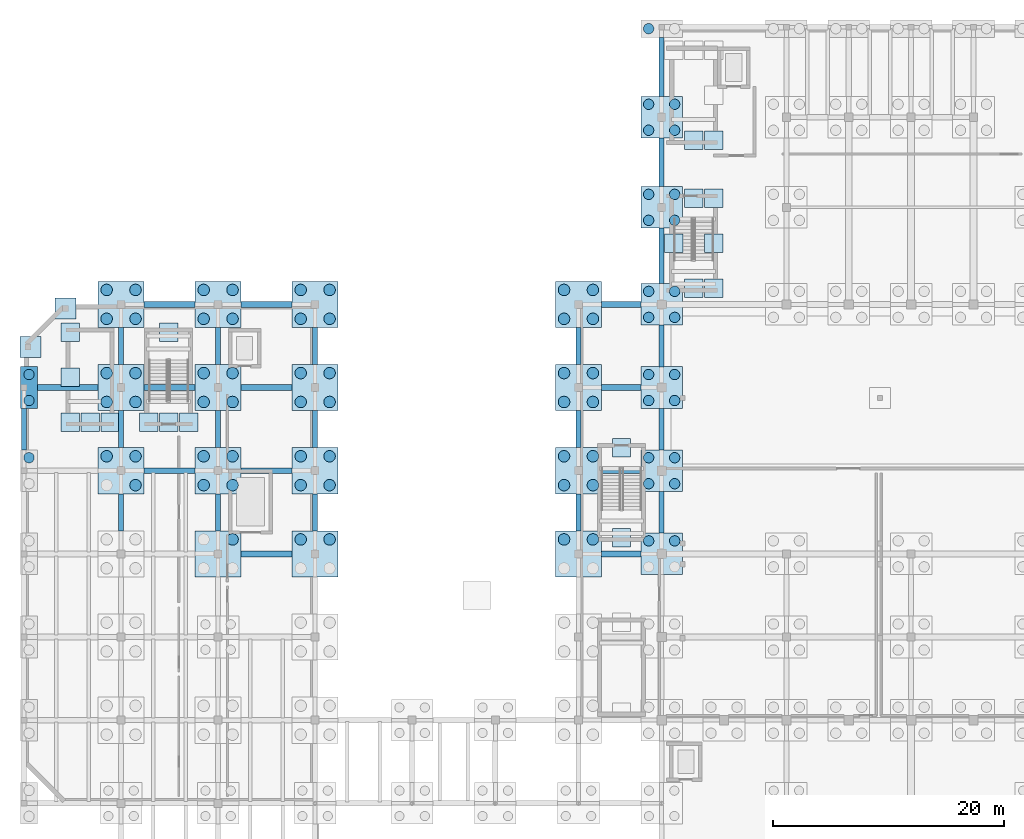
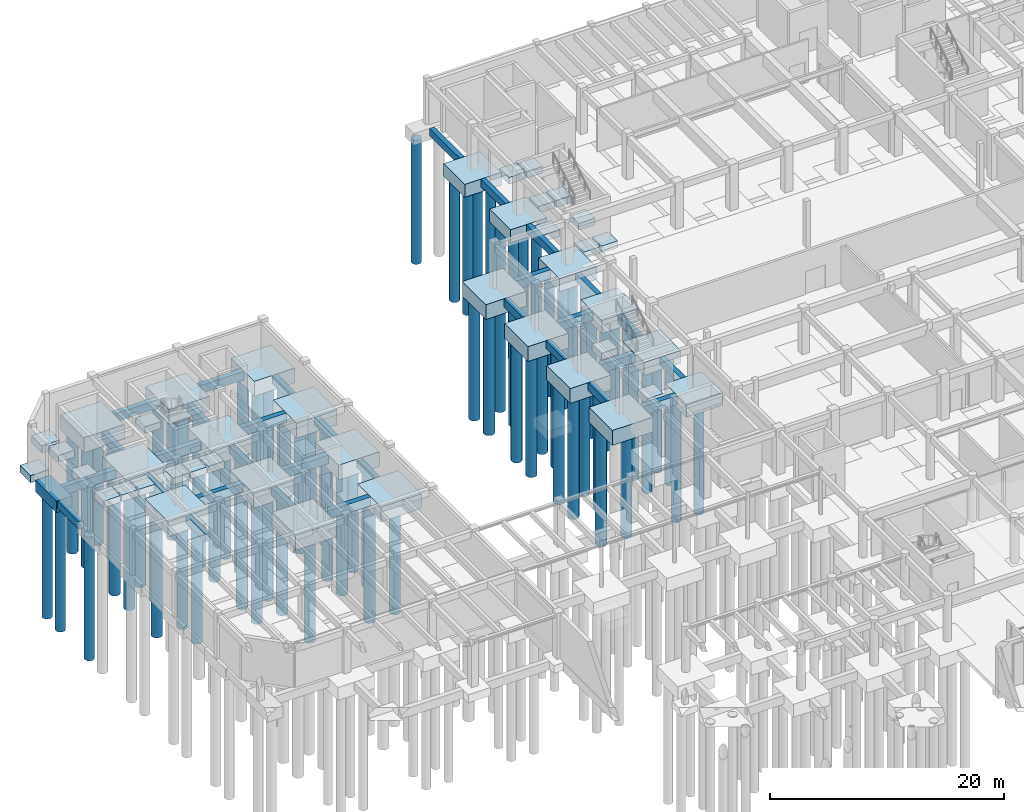
# One storey, part 5 of 46: 78 piles, 74 footings.
"""IFC4 building model written with IfcOpenShell, lengths in metres."""

from ifc_helpers import new_model, si_unit, direction, frame, origin, origin_2d, place, context, subcontext, project, spatial, rectangle, circle, extrude, material, material_profile, profile_set, type_object, element, save


model = new_model("IFC4")

# Units and contexts
model_context = context("Model", 3, precision=1e-05, world=origin(), true_north=direction((0.0, 1.0)))
body_context = subcontext(model_context, "Body", "Model", "MODEL_VIEW")
ifc_project = project(units=[si_unit("LENGTHUNIT", "METRE"), si_unit("AREAUNIT", "SQUARE_METRE"), si_unit("VOLUMEUNIT", "CUBIC_METRE"), si_unit("PLANEANGLEUNIT", "RADIAN"), si_unit("MASSUNIT", "GRAM", prefix="KILO")], contexts=[model_context])

# Site, building, storey
site_placement = place(None, origin())
site = spatial("IfcSite", under=ifc_project, at=site_placement, CompositionType="ELEMENT")
building_placement = place(site_placement, origin())
building = spatial("IfcBuilding", under=site, at=building_placement, Name="Tazoul Stagehouse", CompositionType="ELEMENT")
storey_placement = place(building_placement, frame((0.0, 0.0, -4.800048828125)))
storey = spatial("IfcBuildingStorey", under=building, at=storey_placement, Name="B1", CompositionType="ELEMENT", Elevation=-4.800048828125)

# Piles
ifc_material = material(Name="Concrete C35/45", Category="concrete")
ifc_material_profile_1 = material_profile(ifc_material, circle(Radius=0.5, at=origin_2d()), Name="BORED PILE 1000")
ifc_profile_set_1 = profile_set([ifc_material_profile_1], Name="Concrete C35/45")
pile_type_1 = type_object("IfcPileType", Name="Bored Cast-in-Place Concrete Pile D1000", PredefinedType="BORED", material=ifc_profile_set_1)
for number, where, z_axis, x_axis, name in (
    (1, (12.050048828125, 72.14990234375, -1.449951171875), (0.0, 0.0, -1.0), (1.0, 0.0, 0.0), "Bored Pile PL-03 2/L-2"),
    (2, (9.550048828125, 74.64990234375, -1.449951171875), (0.0, 0.0, -1.0), (1.0, 0.0, 0.0), "Bored Pile PL-03 2/L-3"),
    (3, (12.050048828125, 74.64990234375, -1.449951171875), (0.0, 0.0, -1.0), (1.0, 0.0, 0.0), "Bored Pile PL-03 2/L-4"),
    (4, (9.550048828125, 79.35009765625, -1.449951171875), (0.0, 0.0, -1.0), (1.0, 0.0, 0.0), "Bored Pile PL-03 2/M-1"),
    (5, (12.050048828125, 79.35009765625, -1.449951171875), (0.0, 0.0, -1.0), (1.0, 0.0, 0.0), "Bored Pile PL-03 2/M-2"),
    (6, (9.550048828125, 81.85009765625, -1.449951171875), (0.0, 0.0, -1.0), (1.0, 0.0, 0.0), "Bored Pile PL-03 2/M-3"),
    (7, (12.050048828125, 81.85009765625, -1.449951171875), (0.0, 0.0, -1.0), (1.0, 0.0, 0.0), "Bored Pile PL-03 2/M-4"),
    (8, (9.550048828125, 86.550048828125, -1.449951171875), (0.0, 0.0, -1.0), (1.0, 0.0, 0.0), "Bored Pile PL-03 2/N-1"),
    (9, (12.050048828125, 86.550048828125, -1.449951171875), (0.0, 0.0, -1.0), (1.0, 0.0, 0.0), "Bored Pile PL-03 2/N-2"),
    (10, (9.550048828125, 89.050048828125, -1.449951171875), (0.0, 0.0, -1.0), (1.0, 0.0, 0.0), "Bored Pile PL-03 2/N-3"),
    (11, (12.050048828125, 89.050048828125, -1.449951171875), (0.0, 0.0, -1.0), (1.0, 0.0, 0.0), "Bored Pile PL-03 2/N-4"),
    (12, (20.449951171875, 67.449951171875, -1.449951171875), (0.0, 0.0, -1.0), (1.0, 0.0, 0.0), "Bored Pile PL-03 3/K-4"),
    (13, (17.949951171875, 72.14990234375, -1.449951171875), (0.0, 0.0, -1.0), (1.0, 0.0, 0.0), "Bored Pile PL-03 3/L-1"),
    (14, (20.449951171875, 72.14990234375, -1.449951171875), (0.0, 0.0, -1.0), (1.0, 0.0, 0.0), "Bored Pile PL-03 3/L-2"),
    (15, (17.949951171875, 74.64990234375, -1.449951171875), (0.0, 0.0, -1.0), (1.0, 0.0, 0.0), "Bored Pile PL-03 3/L-3"),
    (16, (20.449951171875, 74.64990234375, -1.449951171875), (0.0, 0.0, -1.0), (1.0, 0.0, 0.0), "Bored Pile PL-03 3/L-4"),
    (17, (17.949951171875, 79.35009765625, -1.449951171875), (0.0, 0.0, -1.0), (1.0, 0.0, 0.0), "Bored Pile PL-03 3/M-1"),
    (18, (20.449951171875, 79.35009765625, -1.449951171875), (0.0, 0.0, -1.0), (1.0, 0.0, 0.0), "Bored Pile PL-03 3/M-2"),
    (19, (17.949951171875, 81.85009765625, -1.449951171875), (0.0, 0.0, -1.0), (1.0, 0.0, 0.0), "Bored Pile PL-03 3/M-3"),
    (20, (20.449951171875, 81.85009765625, -1.449951171875), (0.0, 0.0, -1.0), (1.0, 0.0, 0.0), "Bored Pile PL-03 3/M-4"),
    (21, (17.949951171875, 86.550048828125, -1.449951171875), (0.0, 0.0, -1.0), (1.0, 0.0, 0.0), "Bored Pile PL-03 3/N-1"),
    (22, (20.449951171875, 86.550048828125, -1.449951171875), (0.0, 0.0, -1.0), (1.0, 0.0, 0.0), "Bored Pile PL-03 3/N-2"),
    (23, (17.949951171875, 89.050048828125, -1.449951171875), (0.0, 0.0, -1.0), (1.0, 0.0, 0.0), "Bored Pile PL-03 3/N-3"),
    (24, (20.449951171875, 89.050048828125, -1.449951171875), (0.0, 0.0, -1.0), (1.0, 0.0, 0.0), "Bored Pile PL-03 3/N-4"),
    (25, (26.35009765625, 67.449951171875, -1.449951171875), (0.0, 0.0, -1.0), (1.0, 0.0, 0.0), "Bored Pile PL-03 4/K-3"),
    (26, (28.85009765625, 67.449951171875, -1.449951171875), (0.0, 0.0, -1.0), (1.0, 0.0, 0.0), "Bored Pile PL-03 4/K-4"),
    (27, (26.35009765625, 72.14990234375, -1.449951171875), (0.0, 0.0, -1.0), (1.0, 0.0, 0.0), "Bored Pile PL-03 4/L-1"),
    (28, (28.85009765625, 72.14990234375, -1.449951171875), (0.0, 0.0, -1.0), (1.0, 0.0, 0.0), "Bored Pile PL-03 4/L-2"),
    (29, (26.35009765625, 74.64990234375, -1.449951171875), (0.0, 0.0, -1.0), (1.0, 0.0, 0.0), "Bored Pile PL-03 4/L-3"),
    (30, (28.85009765625, 74.64990234375, -1.449951171875), (0.0, 0.0, -1.0), (1.0, 0.0, 0.0), "Bored Pile PL-03 4/L-4"),
    (31, (26.35009765625, 79.35009765625, -1.449951171875), (0.0, 0.0, -1.0), (1.0, 0.0, 0.0), "Bored Pile PL-03 4/M-1"),
    (32, (28.85009765625, 79.35009765625, -1.449951171875), (0.0, 0.0, -1.0), (1.0, 0.0, 0.0), "Bored Pile PL-03 4/M-2"),
    (33, (26.35009765625, 81.85009765625, -1.449951171875), (0.0, 0.0, -1.0), (1.0, 0.0, 0.0), "Bored Pile PL-03 4/M-3"),
    (34, (28.85009765625, 81.85009765625, -1.449951171875), (0.0, 0.0, -1.0), (1.0, 0.0, 0.0), "Bored Pile PL-03 4/M-4"),
    (35, (26.35009765625, 86.550048828125, -1.449951171875), (0.0, 0.0, -1.0), (1.0, 0.0, 0.0), "Bored Pile PL-03 4/N-1"),
    (36, (28.85009765625, 86.550048828125, -1.449951171875), (0.0, 0.0, -1.0), (1.0, 0.0, 0.0), "Bored Pile PL-03 4/N-2"),
    (37, (26.35009765625, 89.050048828125, -1.449951171875), (0.0, 0.0, -1.0), (1.0, 0.0, 0.0), "Bored Pile PL-03 4/N-3"),
    (38, (28.85009765625, 89.050048828125, -1.449951171875), (0.0, 0.0, -1.0), (1.0, 0.0, 0.0), "Bored Pile PL-03 4/N-4"),
    (39, (49.14990234375, 67.449951171875, -1.449951171875), (0.0, 0.0, -1.0), (1.0, 0.0, 0.0), "Bored Pile PL-03 7/K-3"),
    (40, (51.64990234375, 67.449951171875, -1.449951171875), (0.0, 0.0, -1.0), (1.0, 0.0, 0.0), "Bored Pile PL-03 7/K-4"),
    (41, (49.14990234375, 72.14990234375, -1.449951171875), (0.0, 0.0, -1.0), (1.0, 0.0, 0.0), "Bored Pile PL-03 7/L-1"),
    (42, (51.64990234375, 72.14990234375, -1.449951171875), (0.0, 0.0, -1.0), (1.0, 0.0, 0.0), "Bored Pile PL-03 7/L-2"),
    (43, (49.14990234375, 74.64990234375, -1.449951171875), (0.0, 0.0, -1.0), (1.0, 0.0, 0.0), "Bored Pile PL-03 7/L-3"),
    (44, (51.64990234375, 74.64990234375, -1.449951171875), (0.0, 0.0, -1.0), (1.0, 0.0, 0.0), "Bored Pile PL-03 7/L-4"),
    (45, (49.14990234375, 79.35009765625, -1.449951171875), (0.0, 0.0, -1.0), (1.0, 0.0, 0.0), "Bored Pile PL-03 7/M-1"),
    (46, (51.64990234375, 79.35009765625, -1.449951171875), (0.0, 0.0, -1.0), (1.0, 0.0, 0.0), "Bored Pile PL-03 7/M-2"),
    (47, (49.14990234375, 81.85009765625, -1.449951171875), (0.0, 0.0, -1.0), (1.0, 0.0, 0.0), "Bored Pile PL-03 7/M-3"),
    (48, (51.64990234375, 81.85009765625, -1.449951171875), (0.0, 0.0, -1.0), (1.0, 0.0, 0.0), "Bored Pile PL-03 7/M-4"),
    (49, (49.14990234375, 86.550048828125, -1.449951171875), (0.0, 0.0, -1.0), (1.0, 0.0, 0.0), "Bored Pile PL-03 7/N-1"),
    (50, (51.64990234375, 86.550048828125, -1.449951171875), (0.0, 0.0, -1.0), (1.0, 0.0, 0.0), "Bored Pile PL-03 7/N-2"),
    (51, (49.14990234375, 89.050048828125, -1.449951171875), (0.0, 0.0, -1.0), (1.0, 0.0, 0.0), "Bored Pile PL-03 7/N-3"),
    (52, (51.64990234375, 89.050048828125, -1.449951171875), (0.0, 0.0, -1.0), (1.0, 0.0, 0.0), "Bored Pile PL-03 7/N-4"),
):
    element("IfcPile", number, at=place(storey_placement, frame(where, z_axis=z_axis, x_axis=x_axis)), inside=storey, type_object=pile_type_1, Name=name, PredefinedType="BORED", context=body_context, shape_type="SweptSolid", body=[
        extrude(circle(Radius=0.5, at=origin_2d()), origin(), (0.0, 0.0, 1.0), 12.550048828125),
    ])
ifc_material_profile_2 = material_profile(ifc_material, circle(Radius=0.449951171875, at=origin_2d()), Name="BORED PILE 900")
ifc_profile_set_2 = profile_set([ifc_material_profile_2], Name="Concrete C35/45")
pile_type_2 = type_object("IfcPileType", Name="Bored Cast-in-Place Concrete Pile D900", PredefinedType="BORED", material=ifc_profile_set_2)
for number, where, z_axis, x_axis, name in (
    (53, (2.830078125, 74.52490234375, -1.099853515625), (0.0, 0.0, -1.0), (1.0, 0.0, 0.0), "Bored Pile PL-02 1/L-2"),
    (54, (2.830078125, 79.47509765625, -1.099853515625), (0.0, 0.0, -1.0), (1.0, 0.0, 0.0), "Bored Pile PL-02 1/M-1"),
    (55, (2.830078125, 81.72509765625, -1.099853515625), (0.0, 0.0, -1.0), (1.0, 0.0, 0.0), "Bored Pile PL-02 1/M-2"),
):
    element("IfcPile", number, at=place(storey_placement, frame(where, z_axis=z_axis, x_axis=x_axis)), inside=storey, type_object=pile_type_2, Name=name, PredefinedType="BORED", context=body_context, shape_type="SweptSolid", body=[
        extrude(circle(Radius=0.449951171875, at=origin_2d()), origin(), (0.0, 0.0, 1.0), 12.89990234375),
    ])
for number, where, z_axis, x_axis, name in (
    (56, (56.47509765625, 67.324951171875, -1.25), (0.0, 0.0, -1.0), (1.0, 0.0, 0.0), "Bored Pile PL-02 8/K-3"),
    (57, (58.72509765625, 67.324951171875, -1.25), (0.0, 0.0, -1.0), (1.0, 0.0, 0.0), "Bored Pile PL-02 8/K-4"),
    (58, (56.47509765625, 72.27490234375, -1.25), (0.0, 0.0, -1.0), (1.0, 0.0, 0.0), "Bored Pile PL-02 8/L-1"),
    (59, (58.72509765625, 72.27490234375, -1.25), (0.0, 0.0, -1.0), (1.0, 0.0, 0.0), "Bored Pile PL-02 8/L-2"),
    (60, (56.47509765625, 74.52490234375, -1.25), (0.0, 0.0, -1.0), (1.0, 0.0, 0.0), "Bored Pile PL-02 8/L-3"),
    (61, (58.72509765625, 74.52490234375, -1.25), (0.0, 0.0, -1.0), (1.0, 0.0, 0.0), "Bored Pile PL-02 8/L-4"),
    (62, (56.47509765625, 79.47509765625, -1.25), (0.0, 0.0, -1.0), (1.0, 0.0, 0.0), "Bored Pile PL-02 8/M-1"),
    (63, (58.72509765625, 79.47509765625, -1.25), (0.0, 0.0, -1.0), (1.0, 0.0, 0.0), "Bored Pile PL-02 8/M-2"),
    (64, (56.47509765625, 81.72509765625, -1.25), (0.0, 0.0, -1.0), (1.0, 0.0, 0.0), "Bored Pile PL-02 8/M-3"),
    (65, (58.72509765625, 81.72509765625, -1.25), (0.0, 0.0, -1.0), (1.0, 0.0, 0.0), "Bored Pile PL-02 8/M-4"),
    (66, (56.47509765625, 86.675048828125, -1.25), (0.0, 0.0, -1.0), (1.0, 0.0, 0.0), "Bored Pile PL-02 8/N-1"),
    (67, (58.72509765625, 86.675048828125, -1.25), (0.0, 0.0, -1.0), (1.0, 0.0, 0.0), "Bored Pile PL-02 8/N-2"),
    (68, (56.47509765625, 88.925048828125, -1.25), (0.0, 0.0, -1.0), (1.0, 0.0, 0.0), "Bored Pile PL-02 8/N-3"),
    (69, (58.72509765625, 88.925048828125, -1.25), (0.0, 0.0, -1.0), (1.0, 0.0, 0.0), "Bored Pile PL-02 8/N-4"),
    (70, (56.47509765625, 95.074951171875, -1.25), (0.0, 0.0, -1.0), (1.0, 0.0, 0.0), "Bored Pile PL-02 8/P-1"),
    (71, (58.72509765625, 95.074951171875, -1.25), (0.0, 0.0, -1.0), (1.0, 0.0, 0.0), "Bored Pile PL-02 8/P-2"),
    (72, (56.47509765625, 97.324951171875, -1.25), (0.0, 0.0, -1.0), (1.0, 0.0, 0.0), "Bored Pile PL-02 8/P-3"),
    (73, (58.72509765625, 97.324951171875, -1.25), (0.0, 0.0, -1.0), (1.0, 0.0, 0.0), "Bored Pile PL-02 8/P-4"),
    (74, (56.47509765625, 102.875, -1.25), (0.0, 0.0, -1.0), (1.0, 0.0, 0.0), "Bored Pile PL-02 8/Q-1"),
    (75, (58.72509765625, 102.875, -1.25), (0.0, 0.0, -1.0), (1.0, 0.0, 0.0), "Bored Pile PL-02 8/Q-2"),
    (76, (56.47509765625, 105.125, -1.25), (0.0, 0.0, -1.0), (1.0, 0.0, 0.0), "Bored Pile PL-02 8/Q-3"),
    (77, (58.72509765625, 105.125, -1.25), (0.0, 0.0, -1.0), (1.0, 0.0, 0.0), "Bored Pile PL-02 8/Q-4"),
):
    element("IfcPile", number, at=place(storey_placement, frame(where, z_axis=z_axis, x_axis=x_axis)), inside=storey, type_object=pile_type_2, Name=name, PredefinedType="BORED", context=body_context, shape_type="SweptSolid", body=[
        extrude(circle(Radius=0.449951171875, at=origin_2d()), origin(), (0.0, 0.0, 1.0), 12.75),
    ])
pile_placement = place(storey_placement, frame((56.47509765625, 111.669921875, -1.099853515625), z_axis=(0.0, 0.0, -1.0), x_axis=(1.0, 0.0, 0.0)))
element("IfcPile", 78, at=pile_placement, inside=storey, type_object=pile_type_2, Name="Bored Pile PL-02 8/R-1", PredefinedType="BORED", context=body_context, shape_type="SweptSolid", body=[
    extrude(circle(Radius=0.449951171875, at=origin_2d()), origin(), (0.0, 0.0, 1.0), 12.89990234375),
])

# Footings
footing_type_1 = type_object("IfcFootingType", Name="Four-Pile Cap 3600x3600x1350", PredefinedType="PILE_CAP", material=ifc_material)
for number, where, z_axis, x_axis, name in (
    (79, (57.60009765625, 66.199951171875, -1.35009765625), (0.0, 0.0, 1.0), (1.0, 0.0, 0.0), "Pile Cap PC-04 at 8/K"),
    (80, (57.60009765625, 73.39990234375, -1.35009765625), (0.0, 0.0, 1.0), (1.0, 0.0, 0.0), "Pile Cap PC-04 at 8/L"),
    (81, (57.60009765625, 80.60009765625, -1.35009765625), (0.0, 0.0, 1.0), (1.0, 0.0, 0.0), "Pile Cap PC-04 at 8/M"),
    (82, (57.60009765625, 87.800048828125, -1.35009765625), (0.0, 0.0, 1.0), (1.0, 0.0, 0.0), "Pile Cap PC-04 at 8/N"),
    (83, (57.60009765625, 96.199951171875, -1.35009765625), (0.0, 0.0, 1.0), (1.0, 0.0, 0.0), "Pile Cap PC-04 at 8/P"),
    (84, (57.60009765625, 104.0, -1.35009765625), (0.0, 0.0, 1.0), (1.0, 0.0, 0.0), "Pile Cap PC-04 at 8/Q"),
):
    element("IfcFooting", number, at=place(storey_placement, frame(where, z_axis=z_axis, x_axis=x_axis)), inside=storey, type_object=footing_type_1, Name=name, PredefinedType="PILE_CAP", context=body_context, shape_type="SweptSolid", body=[
        extrude(rectangle(XDim=3.60009765625, YDim=3.60009765625, at=origin_2d()), origin(), (0.0, 0.0, 1.0), 1.35009765625),
    ])
footing_type_2 = type_object("IfcFootingType", Name="Four-Pile Cap 4000x4000x1550", PredefinedType="PILE_CAP", material=ifc_material)
for number, where, z_axis, x_axis, name in (
    (85, (10.800048828125, 73.39990234375, -1.5498046875), (0.0, 0.0, 1.0), (1.0, 0.0, 0.0), "Pile Cap PC-06 at 2/L"),
    (86, (10.800048828125, 80.60009765625, -1.5498046875), (0.0, 0.0, 1.0), (1.0, 0.0, 0.0), "Pile Cap PC-06 at 2/M"),
    (87, (10.800048828125, 87.800048828125, -1.5498046875), (0.0, 0.0, 1.0), (1.0, 0.0, 0.0), "Pile Cap PC-06 at 2/N"),
    (88, (19.199951171875, 66.199951171875, -1.5498046875), (0.0, 0.0, 1.0), (1.0, 0.0, 0.0), "Pile Cap PC-06 at 3/K"),
    (89, (19.199951171875, 73.39990234375, -1.5498046875), (0.0, 0.0, 1.0), (1.0, 0.0, 0.0), "Pile Cap PC-06 at 3/L"),
    (90, (19.199951171875, 80.60009765625, -1.5498046875), (0.0, 0.0, 1.0), (1.0, 0.0, 0.0), "Pile Cap PC-06 at 3/M"),
    (91, (19.199951171875, 87.800048828125, -1.5498046875), (0.0, 0.0, 1.0), (1.0, 0.0, 0.0), "Pile Cap PC-06 at 3/N"),
    (92, (27.60009765625, 66.199951171875, -1.5498046875), (0.0, 0.0, 1.0), (1.0, 0.0, 0.0), "Pile Cap PC-06 at 4/K"),
    (93, (27.60009765625, 73.39990234375, -1.5498046875), (0.0, 0.0, 1.0), (1.0, 0.0, 0.0), "Pile Cap PC-06 at 4/L"),
    (94, (27.60009765625, 80.60009765625, -1.5498046875), (0.0, 0.0, 1.0), (1.0, 0.0, 0.0), "Pile Cap PC-06 at 4/M"),
    (95, (27.60009765625, 87.800048828125, -1.5498046875), (0.0, 0.0, 1.0), (1.0, 0.0, 0.0), "Pile Cap PC-06 at 4/N"),
    (96, (50.39990234375, 66.199951171875, -1.5498046875), (0.0, 0.0, 1.0), (1.0, 0.0, 0.0), "Pile Cap PC-06 at 7/K"),
    (97, (50.39990234375, 73.39990234375, -1.5498046875), (0.0, 0.0, 1.0), (1.0, 0.0, 0.0), "Pile Cap PC-06 at 7/L"),
    (98, (50.39990234375, 80.60009765625, -1.5498046875), (0.0, 0.0, 1.0), (1.0, 0.0, 0.0), "Pile Cap PC-06 at 7/M"),
    (99, (50.39990234375, 87.800048828125, -1.5498046875), (0.0, 0.0, 1.0), (1.0, 0.0, 0.0), "Pile Cap PC-06 at 7/N"),
):
    element("IfcFooting", number, at=place(storey_placement, frame(where, z_axis=z_axis, x_axis=x_axis)), inside=storey, type_object=footing_type_2, Name=name, PredefinedType="PILE_CAP", context=body_context, shape_type="SweptSolid", body=[
        extrude(rectangle(XDim=4.0, YDim=4.0, at=origin_2d()), origin(), (0.0, 0.0, 1.0), 1.550048828125),
    ])
ifc_material_profile_3 = material_profile(ifc_material, rectangle(XDim=0.449951171875, YDim=0.800048828125, at=origin_2d()), Name="RC 450x800")
ifc_profile_set_3 = profile_set([ifc_material_profile_3], Name="Concrete C35/45")
footing_type_3 = type_object("IfcFootingType", Name="Ground Tie Beam 450x800", PredefinedType="FOOTING_BEAM", material=ifc_profile_set_3)
footing_1_placement = place(storey_placement, frame((2.39990234375, 75.199951171875, -0.39990234375), z_axis=(0.0, 1.0, 0.0), x_axis=(-1.0, 0.0, 0.0)))
element("IfcFooting", 100, at=footing_1_placement, inside=storey, type_object=footing_type_3, Name="Ground Tie Beam GB-01 1/L-M", PredefinedType="FOOTING_BEAM", context=body_context, shape_type="SweptSolid", body=[
    extrude(rectangle(XDim=0.449951171875, YDim=0.800048828125, at=origin_2d()), origin(), (0.0, 0.0, 1.0), 3.60009765625),
])
footing_2_placement = place(storey_placement, frame((10.800048828125, 68.199951171875, -0.39990234375), z_axis=(0.0, 1.0, 0.0), x_axis=(-1.0, 0.0, 0.0)))
element("IfcFooting", 101, at=footing_2_placement, inside=storey, type_object=footing_type_3, Name="Ground Tie Beam GB-01 2/K-L", PredefinedType="FOOTING_BEAM", context=body_context, shape_type="SweptSolid", body=[
    extrude(rectangle(XDim=0.449951171875, YDim=0.800048828125, at=origin_2d()), origin(), (0.0, 0.0, 1.0), 3.199951171875),
])
footing_3_placement = place(storey_placement, frame((10.800048828125, 75.39990234375, -0.39990234375), z_axis=(0.0, 1.0, 0.0), x_axis=(-1.0, 0.0, 0.0)))
element("IfcFooting", 102, at=footing_3_placement, inside=storey, type_object=footing_type_3, Name="Ground Tie Beam GB-01 2/L-M", PredefinedType="FOOTING_BEAM", context=body_context, shape_type="SweptSolid", body=[
    extrude(rectangle(XDim=0.449951171875, YDim=0.800048828125, at=origin_2d()), origin(), (0.0, 0.0, 1.0), 3.2001953125),
])
for number, where, z_axis, x_axis, name in (
    (103, (10.800048828125, 82.60009765625, -0.39990234375), (0.0, 1.0, 0.0), (-1.0, 0.0, 0.0), "Ground Tie Beam GB-01 2/M-N"),
    (104, (19.199951171875, 68.199951171875, -0.39990234375), (0.0, 1.0, 0.0), (-1.0, 0.0, 0.0), "Ground Tie Beam GB-01 3/K-L"),
):
    element("IfcFooting", number, at=place(storey_placement, frame(where, z_axis=z_axis, x_axis=x_axis)), inside=storey, type_object=footing_type_3, Name=name, PredefinedType="FOOTING_BEAM", context=body_context, shape_type="SweptSolid", body=[
        extrude(rectangle(XDim=0.449951171875, YDim=0.800048828125, at=origin_2d()), origin(), (0.0, 0.0, 1.0), 3.199951171875),
    ])
footing_4_placement = place(storey_placement, frame((19.199951171875, 75.39990234375, -0.39990234375), z_axis=(0.0, 1.0, 0.0), x_axis=(-1.0, 0.0, 0.0)))
element("IfcFooting", 105, at=footing_4_placement, inside=storey, type_object=footing_type_3, Name="Ground Tie Beam GB-01 3/L-M", PredefinedType="FOOTING_BEAM", context=body_context, shape_type="SweptSolid", body=[
    extrude(rectangle(XDim=0.449951171875, YDim=0.800048828125, at=origin_2d()), origin(), (0.0, 0.0, 1.0), 3.2001953125),
])
for number, where, z_axis, x_axis, name in (
    (106, (19.199951171875, 82.60009765625, -0.39990234375), (0.0, 1.0, 0.0), (-1.0, 0.0, 0.0), "Ground Tie Beam GB-01 3/M-N"),
    (107, (27.60009765625, 68.199951171875, -0.39990234375), (0.0, 1.0, 0.0), (-1.0, 0.0, 0.0), "Ground Tie Beam GB-01 4/K-L"),
):
    element("IfcFooting", number, at=place(storey_placement, frame(where, z_axis=z_axis, x_axis=x_axis)), inside=storey, type_object=footing_type_3, Name=name, PredefinedType="FOOTING_BEAM", context=body_context, shape_type="SweptSolid", body=[
        extrude(rectangle(XDim=0.449951171875, YDim=0.800048828125, at=origin_2d()), origin(), (0.0, 0.0, 1.0), 3.199951171875),
    ])
footing_5_placement = place(storey_placement, frame((27.60009765625, 75.39990234375, -0.39990234375), z_axis=(0.0, 1.0, 0.0), x_axis=(-1.0, 0.0, 0.0)))
element("IfcFooting", 108, at=footing_5_placement, inside=storey, type_object=footing_type_3, Name="Ground Tie Beam GB-01 4/L-M", PredefinedType="FOOTING_BEAM", context=body_context, shape_type="SweptSolid", body=[
    extrude(rectangle(XDim=0.449951171875, YDim=0.800048828125, at=origin_2d()), origin(), (0.0, 0.0, 1.0), 3.2001953125),
])
for number, where, z_axis, x_axis, name in (
    (109, (27.60009765625, 82.60009765625, -0.39990234375), (0.0, 1.0, 0.0), (-1.0, 0.0, 0.0), "Ground Tie Beam GB-01 4/M-N"),
    (110, (50.39990234375, 68.199951171875, -0.39990234375), (0.0, 1.0, 0.0), (-1.0, 0.0, 0.0), "Ground Tie Beam GB-01 7/K-L"),
):
    element("IfcFooting", number, at=place(storey_placement, frame(where, z_axis=z_axis, x_axis=x_axis)), inside=storey, type_object=footing_type_3, Name=name, PredefinedType="FOOTING_BEAM", context=body_context, shape_type="SweptSolid", body=[
        extrude(rectangle(XDim=0.449951171875, YDim=0.800048828125, at=origin_2d()), origin(), (0.0, 0.0, 1.0), 3.199951171875),
    ])
footing_6_placement = place(storey_placement, frame((50.39990234375, 75.39990234375, -0.39990234375), z_axis=(0.0, 1.0, 0.0), x_axis=(-1.0, 0.0, 0.0)))
element("IfcFooting", 111, at=footing_6_placement, inside=storey, type_object=footing_type_3, Name="Ground Tie Beam GB-01 7/L-M", PredefinedType="FOOTING_BEAM", context=body_context, shape_type="SweptSolid", body=[
    extrude(rectangle(XDim=0.449951171875, YDim=0.800048828125, at=origin_2d()), origin(), (0.0, 0.0, 1.0), 3.2001953125),
])
footing_7_placement = place(storey_placement, frame((50.39990234375, 82.60009765625, -0.39990234375), z_axis=(0.0, 1.0, 0.0), x_axis=(-1.0, 0.0, 0.0)))
element("IfcFooting", 112, at=footing_7_placement, inside=storey, type_object=footing_type_3, Name="Ground Tie Beam GB-01 7/M-N", PredefinedType="FOOTING_BEAM", context=body_context, shape_type="SweptSolid", body=[
    extrude(rectangle(XDim=0.449951171875, YDim=0.800048828125, at=origin_2d()), origin(), (0.0, 0.0, 1.0), 3.199951171875),
])
for number, where, z_axis, x_axis, name in (
    (113, (57.60009765625, 68.0, -0.39990234375), (0.0, 1.0, 0.0), (-1.0, 0.0, 0.0), "Ground Tie Beam GB-01 8/K-L"),
    (114, (57.60009765625, 75.199951171875, -0.39990234375), (0.0, 1.0, 0.0), (-1.0, 0.0, 0.0), "Ground Tie Beam GB-01 8/L-M"),
    (115, (57.60009765625, 82.39990234375, -0.39990234375), (0.0, 1.0, 0.0), (-1.0, 0.0, 0.0), "Ground Tie Beam GB-01 8/M-N"),
):
    element("IfcFooting", number, at=place(storey_placement, frame(where, z_axis=z_axis, x_axis=x_axis)), inside=storey, type_object=footing_type_3, Name=name, PredefinedType="FOOTING_BEAM", context=body_context, shape_type="SweptSolid", body=[
        extrude(rectangle(XDim=0.449951171875, YDim=0.800048828125, at=origin_2d()), origin(), (0.0, 0.0, 1.0), 3.60009765625),
    ])
footing_8_placement = place(storey_placement, frame((57.60009765625, 89.60009765625, -0.39990234375), z_axis=(0.0, 1.0, 0.0), x_axis=(-1.0, 0.0, 0.0)))
element("IfcFooting", 116, at=footing_8_placement, inside=storey, type_object=footing_type_3, Name="Ground Tie Beam GB-01 8/N-P", PredefinedType="FOOTING_BEAM", context=body_context, shape_type="SweptSolid", body=[
    extrude(rectangle(XDim=0.449951171875, YDim=0.800048828125, at=origin_2d()), origin(), (0.0, 0.0, 1.0), 4.7998046875),
])
footing_9_placement = place(storey_placement, frame((57.60009765625, 98.0, -0.39990234375), z_axis=(0.0, 1.0, 0.0), x_axis=(-1.0, 0.0, 0.0)))
element("IfcFooting", 117, at=footing_9_placement, inside=storey, type_object=footing_type_3, Name="Ground Tie Beam GB-01 8/P-Q", PredefinedType="FOOTING_BEAM", context=body_context, shape_type="SweptSolid", body=[
    extrude(rectangle(XDim=0.449951171875, YDim=0.800048828125, at=origin_2d()), origin(), (0.0, 0.0, 1.0), 4.199951171875),
])
footing_10_placement = place(storey_placement, frame((57.60009765625, 105.800048828125, -0.39990234375), z_axis=(0.0, 1.0, 0.0), x_axis=(-1.0, 0.0, 0.0)))
element("IfcFooting", 118, at=footing_10_placement, inside=storey, type_object=footing_type_3, Name="Ground Tie Beam GB-01 8/Q-R", PredefinedType="FOOTING_BEAM", context=body_context, shape_type="SweptSolid", body=[
    extrude(rectangle(XDim=0.449951171875, YDim=0.800048828125, at=origin_2d()), origin(), (0.0, 0.0, 1.0), 5.119873046875),
])
ifc_material_profile_4 = material_profile(ifc_material, rectangle(XDim=0.5, YDim=0.89990234375, at=origin_2d()), Name="RC 500x900")
ifc_profile_set_4 = profile_set([ifc_material_profile_4], Name="Concrete C35/45")
footing_type_4 = type_object("IfcFootingType", Name="Ground Tie Beam 500x900", PredefinedType="FOOTING_BEAM", material=ifc_profile_set_4)
footing_11_placement = place(storey_placement, frame((21.199951171875, 66.199951171875, -0.449951171875), z_axis=(1.0, 0.0, 0.0), x_axis=(0.0, 1.0, 0.0)))
element("IfcFooting", 119, at=footing_11_placement, inside=storey, type_object=footing_type_4, Name="Ground Tie Beam GB-02 K/3-4", PredefinedType="FOOTING_BEAM", context=body_context, shape_type="SweptSolid", body=[
    extrude(rectangle(XDim=0.5, YDim=0.89990234375, at=origin_2d()), origin(), (0.0, 0.0, 1.0), 4.400146484375),
])
footing_12_placement = place(storey_placement, frame((52.39990234375, 66.199951171875, -0.449951171875), z_axis=(1.0, 0.0, 0.0), x_axis=(0.0, 1.0, 0.0)))
element("IfcFooting", 120, at=footing_12_placement, inside=storey, type_object=footing_type_4, Name="Ground Tie Beam GB-02 K/7-8", PredefinedType="FOOTING_BEAM", context=body_context, shape_type="SweptSolid", body=[
    extrude(rectangle(XDim=0.5, YDim=0.89990234375, at=origin_2d()), origin(), (0.0, 0.0, 1.0), 3.400146484375),
])
footing_13_placement = place(storey_placement, frame((12.800048828125, 73.39990234375, -0.449951171875), z_axis=(1.0, 0.0, 0.0), x_axis=(0.0, 1.0, 0.0)))
element("IfcFooting", 121, at=footing_13_placement, inside=storey, type_object=footing_type_4, Name="Ground Tie Beam GB-02 L/2-3", PredefinedType="FOOTING_BEAM", context=body_context, shape_type="SweptSolid", body=[
    extrude(rectangle(XDim=0.5, YDim=0.89990234375, at=origin_2d()), origin(), (0.0, 0.0, 1.0), 4.39990234375),
])
footing_14_placement = place(storey_placement, frame((21.199951171875, 73.39990234375, -0.449951171875), z_axis=(1.0, 0.0, 0.0), x_axis=(0.0, 1.0, 0.0)))
element("IfcFooting", 122, at=footing_14_placement, inside=storey, type_object=footing_type_4, Name="Ground Tie Beam GB-02 L/3-4", PredefinedType="FOOTING_BEAM", context=body_context, shape_type="SweptSolid", body=[
    extrude(rectangle(XDim=0.5, YDim=0.89990234375, at=origin_2d()), origin(), (0.0, 0.0, 1.0), 4.400146484375),
])
footing_15_placement = place(storey_placement, frame((52.39990234375, 73.39990234375, -0.449951171875), z_axis=(1.0, 0.0, 0.0), x_axis=(0.0, 1.0, 0.0)))
element("IfcFooting", 123, at=footing_15_placement, inside=storey, type_object=footing_type_4, Name="Ground Tie Beam GB-02 L/7-8", PredefinedType="FOOTING_BEAM", context=body_context, shape_type="SweptSolid", body=[
    extrude(rectangle(XDim=0.5, YDim=0.89990234375, at=origin_2d()), origin(), (0.0, 0.0, 1.0), 3.400146484375),
])
footing_16_placement = place(storey_placement, frame((3.580078125, 80.60009765625, -0.449951171875), z_axis=(1.0, 0.0, 0.0), x_axis=(0.0, 1.0, 0.0)))
element("IfcFooting", 124, at=footing_16_placement, inside=storey, type_object=footing_type_4, Name="Ground Tie Beam GB-02 M/1-2", PredefinedType="FOOTING_BEAM", context=body_context, shape_type="SweptSolid", body=[
    extrude(rectangle(XDim=0.5, YDim=0.89990234375, at=origin_2d()), origin(), (0.0, 0.0, 1.0), 5.219970703125),
])
footing_17_placement = place(storey_placement, frame((12.800048828125, 80.60009765625, -0.449951171875), z_axis=(1.0, 0.0, 0.0), x_axis=(0.0, 1.0, 0.0)))
element("IfcFooting", 125, at=footing_17_placement, inside=storey, type_object=footing_type_4, Name="Ground Tie Beam GB-02 M/2-3", PredefinedType="FOOTING_BEAM", context=body_context, shape_type="SweptSolid", body=[
    extrude(rectangle(XDim=0.5, YDim=0.89990234375, at=origin_2d()), origin(), (0.0, 0.0, 1.0), 4.39990234375),
])
footing_18_placement = place(storey_placement, frame((21.199951171875, 80.60009765625, -0.449951171875), z_axis=(1.0, 0.0, 0.0), x_axis=(0.0, 1.0, 0.0)))
element("IfcFooting", 126, at=footing_18_placement, inside=storey, type_object=footing_type_4, Name="Ground Tie Beam GB-02 M/3-4", PredefinedType="FOOTING_BEAM", context=body_context, shape_type="SweptSolid", body=[
    extrude(rectangle(XDim=0.5, YDim=0.89990234375, at=origin_2d()), origin(), (0.0, 0.0, 1.0), 4.400146484375),
])
footing_19_placement = place(storey_placement, frame((52.39990234375, 80.60009765625, -0.449951171875), z_axis=(1.0, 0.0, 0.0), x_axis=(0.0, 1.0, 0.0)))
element("IfcFooting", 127, at=footing_19_placement, inside=storey, type_object=footing_type_4, Name="Ground Tie Beam GB-02 M/7-8", PredefinedType="FOOTING_BEAM", context=body_context, shape_type="SweptSolid", body=[
    extrude(rectangle(XDim=0.5, YDim=0.89990234375, at=origin_2d()), origin(), (0.0, 0.0, 1.0), 3.400146484375),
])
footing_20_placement = place(storey_placement, frame((12.800048828125, 87.800048828125, -0.449951171875), z_axis=(1.0, 0.0, 0.0), x_axis=(0.0, 1.0, 0.0)))
element("IfcFooting", 128, at=footing_20_placement, inside=storey, type_object=footing_type_4, Name="Ground Tie Beam GB-02 N/2-3", PredefinedType="FOOTING_BEAM", context=body_context, shape_type="SweptSolid", body=[
    extrude(rectangle(XDim=0.5, YDim=0.89990234375, at=origin_2d()), origin(), (0.0, 0.0, 1.0), 4.39990234375),
])
footing_21_placement = place(storey_placement, frame((21.199951171875, 87.800048828125, -0.449951171875), z_axis=(1.0, 0.0, 0.0), x_axis=(0.0, 1.0, 0.0)))
element("IfcFooting", 129, at=footing_21_placement, inside=storey, type_object=footing_type_4, Name="Ground Tie Beam GB-02 N/3-4", PredefinedType="FOOTING_BEAM", context=body_context, shape_type="SweptSolid", body=[
    extrude(rectangle(XDim=0.5, YDim=0.89990234375, at=origin_2d()), origin(), (0.0, 0.0, 1.0), 4.400146484375),
])
footing_22_placement = place(storey_placement, frame((52.39990234375, 87.800048828125, -0.449951171875), z_axis=(1.0, 0.0, 0.0), x_axis=(0.0, 1.0, 0.0)))
element("IfcFooting", 130, at=footing_22_placement, inside=storey, type_object=footing_type_4, Name="Ground Tie Beam GB-02 N/7-8", PredefinedType="FOOTING_BEAM", context=body_context, shape_type="SweptSolid", body=[
    extrude(rectangle(XDim=0.5, YDim=0.89990234375, at=origin_2d()), origin(), (0.0, 0.0, 1.0), 3.400146484375),
])
footing_type_5 = type_object("IfcFootingType", Name="Spread Pad Footing 1600x1600x700", PredefinedType="PAD_FOOTING", material=ifc_material)
for number, where, z_axis, x_axis, name in (
    (131, (62.10009765625, 102.0, -0.69970703125), (0.0, 0.0, 1.0), (1.0, 0.0, 0.0), "Core Support Pad Footing PF-01 (C3U4)"),
    (132, (60.375, 102.0, -0.69970703125), (0.0, 0.0, 1.0), (1.0, 0.0, 0.0), "Core Support Pad Footing PF-01 (C3U5)"),
    (133, (62.10009765625, 97.0, -0.69970703125), (0.0, 0.0, 1.0), (1.0, 0.0, 0.0), "Core Support Pad Footing PF-01 (C3B2)"),
    (134, (62.10009765625, 89.199951171875, -0.69970703125), (0.0, 0.0, 1.0), (1.0, 0.0, 0.0), "Core Support Pad Footing PF-01 (C3B4)"),
    (135, (60.375, 89.199951171875, -0.69970703125), (0.0, 0.0, 1.0), (1.0, 0.0, 0.0), "Core Support Pad Footing PF-01 (C3B5)"),
    (136, (60.375, 97.0, -0.69970703125), (0.0, 0.0, 1.0), (1.0, 0.0, 0.0), "Core Support Pad Footing PF-01 (C3B6)"),
    (137, (58.64990234375, 93.10009765625, -0.69970703125), (0.0, 0.0, 1.0), (1.0, 0.0, 0.0), "Core Support Pad Footing PF-01 (C3B7)"),
    (138, (62.10009765625, 93.10009765625, -0.69970703125), (0.0, 0.0, 1.0), (1.0, 0.0, 0.0), "Core Support Pad Footing PF-01 (C3B8)"),
    (139, (54.125, 67.60009765625, -0.69970703125), (0.0, 0.0, 1.0), (1.0, 0.0, 0.0), "Core Support Pad Footing PF-01 (C5B5)"),
    (140, (54.125, 75.39990234375, -0.69970703125), (0.0, 0.0, 1.0), (1.0, 0.0, 0.0), "Core Support Pad Footing PF-01 (C5B6)"),
    (141, (6.39990234375, 77.60009765625, -0.69970703125), (0.0, 0.0, 1.0), (1.0, 0.0, 0.0), "Core Support Pad Footing PF-01 (C6U1)"),
    (142, (6.39990234375, 85.39990234375, -0.69970703125), (0.0, 0.0, 1.0), (1.0, 0.0, 0.0), "Core Support Pad Footing PF-01 (C6U3)"),
    (143, (9.85009765625, 77.60009765625, -0.69970703125), (0.0, 0.0, 1.0), (1.0, 0.0, 0.0), "Core Support Pad Footing PF-01 (C6U4)"),
    (144, (8.125, 77.60009765625, -0.69970703125), (0.0, 0.0, 1.0), (1.0, 0.0, 0.0), "Core Support Pad Footing PF-01 (C6U5)"),
    (145, (6.39990234375, 81.5, -0.69970703125), (0.0, 0.0, 1.0), (1.0, 0.0, 0.0), "Core Support Pad Footing PF-01 (C6U7)"),
    (146, (13.199951171875, 77.60009765625, -0.69970703125), (0.0, 0.0, 1.0), (1.0, 0.0, 0.0), "Core Support Pad Footing PF-01 (C6B1)"),
    (147, (16.64990234375, 77.60009765625, -0.69970703125), (0.0, 0.0, 1.0), (1.0, 0.0, 0.0), "Core Support Pad Footing PF-01 (C6B4)"),
    (148, (14.925048828125, 77.60009765625, -0.69970703125), (0.0, 0.0, 1.0), (1.0, 0.0, 0.0), "Core Support Pad Footing PF-01 (C6B5)"),
    (149, (14.925048828125, 85.39990234375, -0.69970703125), (0.0, 0.0, 1.0), (1.0, 0.0, 0.0), "Core Support Pad Footing PF-01 (C6B6)"),
):
    element("IfcFooting", number, at=place(storey_placement, frame(where, z_axis=z_axis, x_axis=x_axis)), inside=storey, type_object=footing_type_5, Name=name, PredefinedType="PAD_FOOTING", context=body_context, shape_type="SweptSolid", body=[
        extrude(rectangle(XDim=1.60009765625, YDim=1.60009765625, at=origin_2d()), origin(), (0.0, 0.0, 1.0), 0.699951171875),
    ])
footing_type_6 = type_object("IfcFootingType", Name="Spread Pad Footing 1800x1800x750", PredefinedType="PAD_FOOTING", material=ifc_material)
for number, where, z_axis, x_axis, name in (
    (150, (6.0, 87.449951171875, -0.75), (0.0, 0.0, 1.0), (1.0, 0.0, 0.0), "V6 Chamfer Column Pad Footing PF-02 (1)"),
    (151, (2.949951171875, 84.10009765625, -0.75), (0.0, 0.0, 1.0), (1.0, 0.0, 0.0), "V6 Chamfer Column Pad Footing PF-02 (2)"),
):
    element("IfcFooting", number, at=place(storey_placement, frame(where, z_axis=z_axis, x_axis=x_axis)), inside=storey, type_object=footing_type_6, Name=name, PredefinedType="PAD_FOOTING", context=body_context, shape_type="SweptSolid", body=[
        extrude(rectangle(XDim=1.800048828125, YDim=1.800048828125, at=origin_2d()), origin(), (0.0, 0.0, 1.0), 0.75),
    ])
footing_type_7 = type_object("IfcFootingType", Name="Two-Pile Cap 1500x3600x1200", PredefinedType="PILE_CAP", material=ifc_material)
footing_23_placement = place(storey_placement, frame((2.830078125, 80.60009765625, -1.19970703125), z_axis=(0.0, 0.0, 1.0), x_axis=(1.0, 0.0, 0.0)))
element("IfcFooting", 152, at=footing_23_placement, inside=storey, type_object=footing_type_7, Name="Pile Cap PC-02 at 1/M", PredefinedType="PILE_CAP", context=body_context, shape_type="SweptSolid", body=[
    extrude(rectangle(XDim=1.5, YDim=3.60009765625, at=origin_2d()), origin(), (0.0, 0.0, 1.0), 1.199951171875),
])

save(model, "model.ifc")
